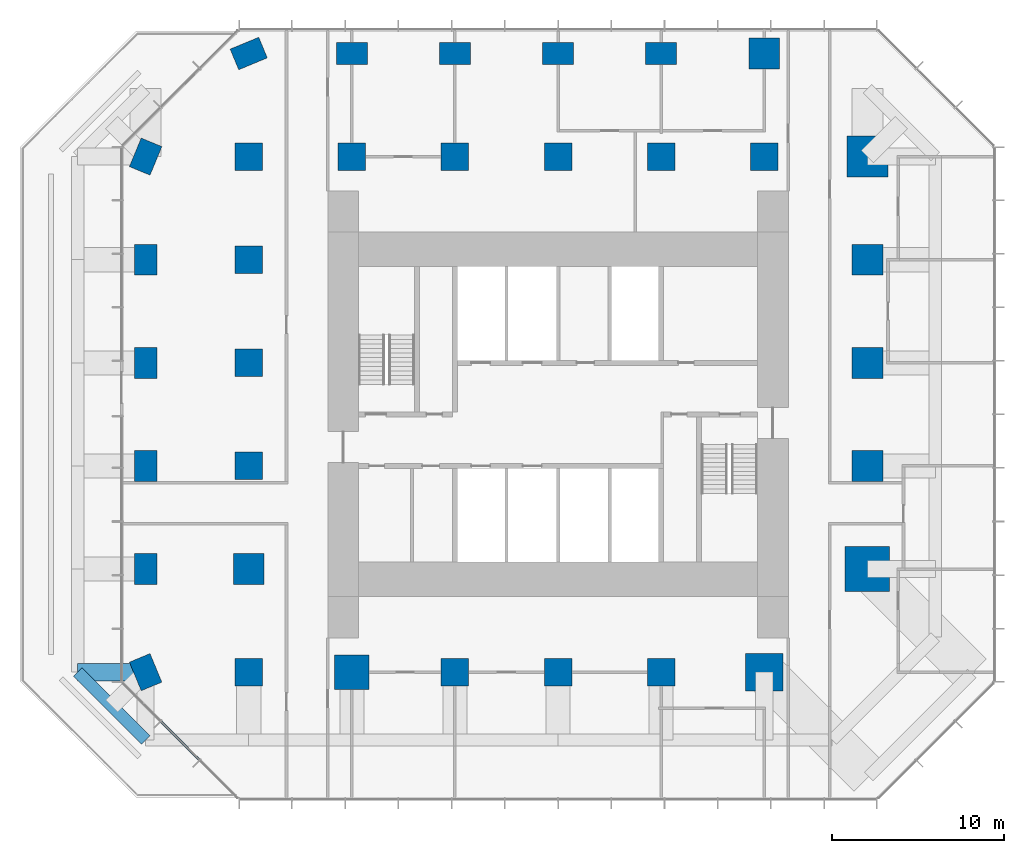
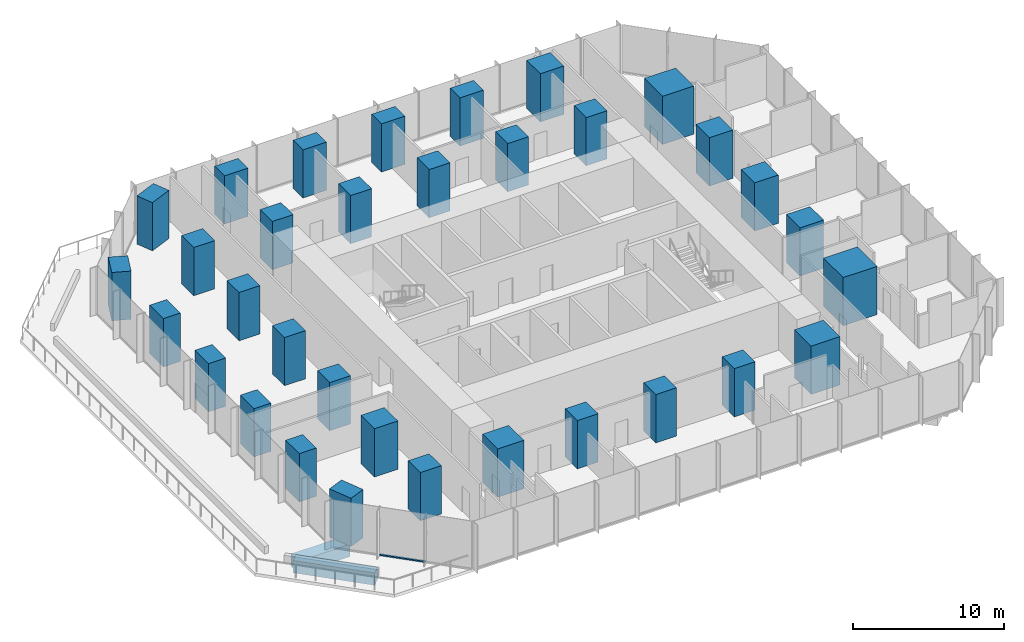
# One storey, part 1 of 11: 33 columns, 2 beams, 1 member, 1 element without a shape of its own.
"""IFC4 building model written with IfcOpenShell, lengths in metres."""

from ifc_helpers import new_model, si_unit, direction, frame, origin, origin_2d, place, context, subcontext, project, spatial, rectangle, extrude, material, layer, layer_set, material_profile, profile_set, type_object, element, aggregate, save


model = new_model("IFC4")

# Units and contexts
model_context = context("Model", 3, precision=1e-05, world=origin(), true_north=direction((0.0, 1.0)))
body_context = subcontext(model_context, "Body", "Model", "MODEL_VIEW")
ifc_project = project(units=[si_unit("LENGTHUNIT", "METRE"), si_unit("AREAUNIT", "SQUARE_METRE"), si_unit("VOLUMEUNIT", "CUBIC_METRE"), si_unit("PLANEANGLEUNIT", "RADIAN"), si_unit("MASSUNIT", "GRAM", prefix="KILO")], contexts=[model_context])

# Site, building, storey
site_placement = place(None, origin())
site = spatial("IfcSite", under=ifc_project, at=site_placement, CompositionType="ELEMENT")
building_placement = place(site_placement, origin())
building = spatial("IfcBuilding", under=site, at=building_placement, Name="Highveld Stack Headquarters", CompositionType="ELEMENT")
storey_placement = place(building_placement, frame((0.0, 0.0, 140.60009765625)))
storey = spatial("IfcBuildingStorey", under=building, at=storey_placement, Name="L34", CompositionType="ELEMENT", Elevation=140.60009765625)

# Columns
ifc_material_1 = material(Name="Concrete C60/75", Category="concrete")
ifc_material_profile_1 = material_profile(ifc_material_1, rectangle(XDim=1.60009765625, YDim=1.60009765625, at=origin_2d()), Name="RC 1600x1600")
ifc_profile_set_1 = profile_set([ifc_material_profile_1], Name="Concrete C60/75")
column_type_1 = type_object("IfcColumnType", Name="COLUMN RC 1600x1600 C60/75", PredefinedType="COLUMN", material=ifc_profile_set_1)
for number, where, z_axis, x_axis, name in (
    (1, (-12.0, -12.0, 0.0), (0.0, 0.0, 1.0), (1.0, 0.0, 0.0), "Column 4/C L34"),
    (2, (-12.0, 0.0, 0.0), (0.0, 0.0, 1.0), (1.0, 0.0, 0.0), "Column 4/E L34"),
    (3, (-12.0, 6.0, 0.0), (0.0, 0.0, 1.0), (1.0, 0.0, 0.0), "Column 4/F L34"),
    (4, (-12.0, 12.0, 0.0), (0.0, 0.0, 1.0), (1.0, 0.0, 0.0), "Column 4/G L34"),
    (5, (-12.0, 18.0, 0.0), (0.0, 0.0, 1.0), (1.0, 0.0, 0.0), "Column 4/H L34"),
    (6, (-6.0, 18.0, 0.0), (0.0, 0.0, 1.0), (1.0, 0.0, 0.0), "Column 5/H L34"),
    (7, (0.0, -12.0, 0.0), (0.0, 0.0, 1.0), (1.0, 0.0, 0.0), "Column 6/C L34"),
    (8, (0.0, 18.0, 0.0), (0.0, 0.0, 1.0), (1.0, 0.0, 0.0), "Column 6/H L34"),
    (9, (6.0, -12.0, 0.0), (0.0, 0.0, 1.0), (1.0, 0.0, 0.0), "Column 7/C L34"),
    (10, (6.0, 18.0, 0.0), (0.0, 0.0, 1.0), (1.0, 0.0, 0.0), "Column 7/H L34"),
    (11, (12.0, -12.0, 0.0), (0.0, 0.0, 1.0), (1.0, 0.0, 0.0), "Column 8/C L34"),
    (12, (12.0, 18.0, 0.0), (0.0, 0.0, 1.0), (1.0, 0.0, 0.0), "Column 8/H L34"),
    (13, (18.0, 18.0, 0.0), (0.0, 0.0, 1.0), (1.0, 0.0, 0.0), "Column 9/H L34"),
):
    element("IfcColumn", number, at=place(storey_placement, frame(where, z_axis=z_axis, x_axis=x_axis)), inside=storey, type_object=column_type_1, Name=name, PredefinedType="COLUMN", context=body_context, shape_type="SweptSolid", body=[
        extrude(rectangle(XDim=1.60009765625, YDim=1.60009765625, at=origin_2d()), origin(), (0.0, 0.0, 1.0), 3.89990234375),
    ])
ifc_material_2 = material(Name="Concrete C60/75", Category="concrete")
ifc_material_profile_2 = material_profile(ifc_material_2, rectangle(XDim=1.800048828125, YDim=1.300048828125, at=origin_2d()), Name="RC 1800x1300")
ifc_profile_set_2 = profile_set([ifc_material_profile_2], Name="Concrete C60/75")
column_type_2 = type_object("IfcColumnType", Name="COLUMN RC 1800x1300 C60/75", PredefinedType="COLUMN", material=ifc_profile_set_2)
for number, where, z_axis, x_axis, name in (
    (14, (-18.0, -12.0, 0.0), (0.0, 0.0, 1.0), (-0.382683432365, 0.923879532511, 0.0), "Column 3/C L34"),
    (15, (-18.0, -6.0, 0.0), (0.0, 0.0, 1.0), (0.0, 1.0, 0.0), "Column 3/D L34"),
    (16, (-18.0, 0.0, 0.0), (0.0, 0.0, 1.0), (0.0, 1.0, 0.0), "Column 3/E L34"),
    (17, (-18.0, 6.0, 0.0), (0.0, 0.0, 1.0), (0.0, 1.0, 0.0), "Column 3/F L34"),
    (18, (-18.0, 12.0, 0.0), (0.0, 0.0, 1.0), (0.0, 1.0, 0.0), "Column 3/G L34"),
    (19, (-18.0, 18.0, 0.0), (0.0, 0.0, 1.0), (0.382683432365, 0.923879532511, 0.0), "Column 3/H L34"),
    (20, (-12.0, 24.0, 0.0), (0.0, 0.0, 1.0), (0.923879532511, 0.382683432365, 0.0), "Column 4/J L34"),
    (21, (-6.0, 24.0, 0.0), (0.0, 0.0, 1.0), (1.0, 0.0, 0.0), "Column 5/J L34"),
    (22, (0.0, 24.0, 0.0), (0.0, 0.0, 1.0), (1.0, 0.0, 0.0), "Column 6/J L34"),
    (23, (6.0, 24.0, 0.0), (0.0, 0.0, 1.0), (1.0, 0.0, 0.0), "Column 7/J L34"),
    (24, (12.0, 24.0, 0.0), (0.0, 0.0, 1.0), (1.0, 0.0, 0.0), "Column 8/J L34"),
):
    element("IfcColumn", number, at=place(storey_placement, frame(where, z_axis=z_axis, x_axis=x_axis)), inside=storey, type_object=column_type_2, Name=name, PredefinedType="COLUMN", context=body_context, shape_type="SweptSolid", body=[
        extrude(rectangle(XDim=1.800048828125, YDim=1.300048828125, at=origin_2d()), origin(), (0.0, 0.0, 1.0), 3.89990234375),
    ])
ifc_material_3 = material(Name="Concrete C60/75", Category="concrete")
ifc_material_profile_3 = material_profile(ifc_material_3, rectangle(XDim=1.800048828125, YDim=1.800048828125, at=origin_2d()), Name="RC 1800x1800")
ifc_profile_set_3 = profile_set([ifc_material_profile_3], Name="Concrete C60/75")
column_type_3 = type_object("IfcColumnType", Name="COLUMN RC 1800x1800 C60/75", PredefinedType="COLUMN", material=ifc_profile_set_3)
for number, where, z_axis, x_axis, name in (
    (25, (-12.0, -6.0, 0.0), (0.0, 0.0, 1.0), (1.0, 0.0, 0.0), "Column 4/D L34"),
    (26, (18.0, 24.0, 0.0), (0.0, 0.0, 1.0), (1.0, 0.0, 0.0), "Column 9/J L34"),
    (27, (24.0, 0.0, 0.0), (0.0, 0.0, 1.0), (1.0, 0.0, 0.0), "Column 10/E L34"),
    (28, (24.0, 6.0, 0.0), (0.0, 0.0, 1.0), (1.0, 0.0, 0.0), "Column 10/F L34"),
    (29, (24.0, 12.0, 0.0), (0.0, 0.0, 1.0), (1.0, 0.0, 0.0), "Column 10/G L34"),
):
    element("IfcColumn", number, at=place(storey_placement, frame(where, z_axis=z_axis, x_axis=x_axis)), inside=storey, type_object=column_type_3, Name=name, PredefinedType="COLUMN", context=body_context, shape_type="SweptSolid", body=[
        extrude(rectangle(XDim=1.800048828125, YDim=1.800048828125, at=origin_2d()), origin(), (0.0, 0.0, 1.0), 3.89990234375),
    ])
ifc_material_4 = material(Name="Concrete C60/75", Category="concrete")
ifc_material_profile_4 = material_profile(ifc_material_4, rectangle(XDim=2.0, YDim=2.0, at=origin_2d()), Name="RC 2000x2000")
ifc_profile_set_4 = profile_set([ifc_material_profile_4], Name="Concrete C60/75")
column_type_4 = type_object("IfcColumnType", Name="COLUMN RC 2000x2000 C60/75", PredefinedType="COLUMN", material=ifc_profile_set_4)
column_1_placement = place(storey_placement, frame((-6.0, -12.0, 0.0), z_axis=(0.0, 0.0, 1.0), x_axis=(1.0, 0.0, 0.0)))
element("IfcColumn", 30, at=column_1_placement, inside=storey, type_object=column_type_4, Name="Column 5/C L34", PredefinedType="COLUMN", context=body_context, shape_type="SweptSolid", body=[
    extrude(rectangle(XDim=2.0, YDim=2.0, at=origin_2d()), origin(), (0.0, 0.0, 1.0), 3.89990234375),
])
ifc_material_5 = material(Name="Concrete C60/75", Category="concrete")
ifc_material_profile_5 = material_profile(ifc_material_5, rectangle(XDim=2.199951171875, YDim=2.199951171875, at=origin_2d()), Name="RC 2200x2200")
ifc_profile_set_5 = profile_set([ifc_material_profile_5], Name="Concrete C60/75")
column_type_5 = type_object("IfcColumnType", Name="COLUMN RC 2200x2200 C60/75", PredefinedType="COLUMN", material=ifc_profile_set_5)
column_2_placement = place(storey_placement, frame((18.0, -12.0, 0.0), z_axis=(0.0, 0.0, 1.0), x_axis=(1.0, 0.0, 0.0)))
element("IfcColumn", 31, at=column_2_placement, inside=storey, type_object=column_type_5, Name="Column 9/C L34", PredefinedType="COLUMN", context=body_context, shape_type="SweptSolid", body=[
    extrude(rectangle(XDim=2.199951171875, YDim=2.199951171875, at=origin_2d()), origin(), (0.0, 0.0, 1.0), 3.89990234375),
])
ifc_material_6 = material(Name="Concrete C60/75", Category="concrete")
ifc_material_profile_6 = material_profile(ifc_material_6, rectangle(XDim=2.39990234375, YDim=2.39990234375, at=origin_2d()), Name="RC 2400x2400")
ifc_profile_set_6 = profile_set([ifc_material_profile_6], Name="Concrete C60/75")
column_type_6 = type_object("IfcColumnType", Name="COLUMN RC 2400x2400 C60/75", PredefinedType="COLUMN", material=ifc_profile_set_6)
column_3_placement = place(storey_placement, frame((24.0, 18.0, 0.0), z_axis=(0.0, 0.0, 1.0), x_axis=(1.0, 0.0, 0.0)))
element("IfcColumn", 32, at=column_3_placement, inside=storey, type_object=column_type_6, Name="Column 10/H L34", PredefinedType="COLUMN", context=body_context, shape_type="SweptSolid", body=[
    extrude(rectangle(XDim=2.39990234375, YDim=2.39990234375, at=origin_2d()), origin(), (0.0, 0.0, 1.0), 3.89990234375),
])
ifc_material_7 = material(Name="Concrete C60/75", Category="concrete")
ifc_material_profile_7 = material_profile(ifc_material_7, rectangle(XDim=2.60009765625, YDim=2.60009765625, at=origin_2d()), Name="RC 2600x2600")
ifc_profile_set_7 = profile_set([ifc_material_profile_7], Name="Concrete C60/75")
column_type_7 = type_object("IfcColumnType", Name="COLUMN RC 2600x2600 C60/75", PredefinedType="COLUMN", material=ifc_profile_set_7)
column_4_placement = place(storey_placement, frame((24.0, -6.0, 0.0), z_axis=(0.0, 0.0, 1.0), x_axis=(1.0, 0.0, 0.0)))
element("IfcColumn", 33, at=column_4_placement, inside=storey, type_object=column_type_7, Name="Column 10/D L34", PredefinedType="COLUMN", context=body_context, shape_type="SweptSolid", body=[
    extrude(rectangle(XDim=2.60009765625, YDim=2.60009765625, at=origin_2d()), origin(), (0.0, 0.0, 1.0), 3.89990234375),
])

# Beam
ifc_material_8 = material(Name="Concrete C60/75", Category="concrete")
ifc_material_profile_8 = material_profile(ifc_material_8, rectangle(XDim=1.0, YDim=1.0, at=origin_2d()), Name="RC 1000x1000")
ifc_profile_set_8 = profile_set([ifc_material_profile_8], Name="Concrete C60/75")
beam_type_1 = type_object("IfcBeamType", Name="CANTILEVER RIB RC 1000x1000", PredefinedType="USERDEFINED", material=ifc_profile_set_8)
beam_1_placement = place(storey_placement, frame((-18.0, -12.0, -0.75), z_axis=(-1.0, 0.0, 0.0), x_axis=(0.0, -1.0, 0.0)))
element("IfcBeam", 34, at=beam_1_placement, inside=storey, type_object=beam_type_1, Name="Cantilever rib 3/C L34", ObjectType="CANTILEVER RIB", PredefinedType="USERDEFINED", context=body_context, shape_type="SweptSolid", body=[
    extrude(rectangle(XDim=1.0, YDim=1.0, at=origin_2d()), origin(), (0.0, 0.0, 1.0), 3.949951171875),
])

# Curtain wall, member
ifc_material_9 = material(Name="Aluminium bronze anodised", Category="aluminium")
ifc_layer = layer(ifc_material_9, 0.199951171875)
ifc_layer_set = layer_set([ifc_layer], Name="Aluminium bronze anodised")
curtain_wall_type = type_object("IfcCurtainWallType", Name="CW2 TOWER CHAMFER UNITISED CURTAIN WALL", PredefinedType="NOTDEFINED", material=ifc_layer_set)
curtain_wall_placement = place(storey_placement, origin())
curtain_wall = element("IfcCurtainWall", 35, at=curtain_wall_placement, inside=storey, type_object=curtain_wall_type, Name="Curtain wall CW2 L34 SW", PredefinedType="NOTDEFINED")
ifc_material_10 = material(Name="Aluminium bronze anodised", Category="aluminium")
ifc_material_profile_9 = material_profile(ifc_material_10, rectangle(XDim=0.14990234375, YDim=0.10009765625, at=origin_2d()), Name="CW2 TRANSOM 150x100")
ifc_profile_set_9 = profile_set([ifc_material_profile_9], Name="Aluminium bronze anodised")
member_type = type_object("IfcMemberType", Name="CW2 STACK TRANSOM 150x100", PredefinedType="USERDEFINED", material=ifc_profile_set_9)
member_placement = place(storey_placement, frame((-17.103759765625, -14.876220703125, 0.0498046875), z_axis=(0.707106781187, -0.707106781187, 0.0), x_axis=(0.707106781187, 0.707106781187, 0.0)))
member = element("IfcMember", 36, at=member_placement, type_object=member_type, Name="CW2 transom L34 2.1", ObjectType="TRANSOM", PredefinedType="USERDEFINED", context=body_context, shape_type="SweptSolid", body=[
    extrude(rectangle(XDim=0.14990234375, YDim=0.10009765625, at=origin_2d()), origin(), (0.0, 0.0, 1.0), 3.150146484375),
])
aggregate(curtain_wall, [member])

# Beam
ifc_material_11 = material(Name="Concrete C60/75", Category="concrete")
ifc_material_profile_10 = material_profile(ifc_material_11, rectangle(XDim=0.699951171875, YDim=1.0, at=origin_2d()), Name="RC 700x1000")
ifc_profile_set_10 = profile_set([ifc_material_profile_10], Name="Concrete C60/75")
beam_type_2 = type_object("IfcBeamType", Name="RIB TIP BEAM RC 700x1000", PredefinedType="SPANDREL", material=ifc_profile_set_10)
beam_2_placement = place(storey_placement, frame((-21.949951171875, -12.0, -0.75), z_axis=(0.707106781187, -0.707106781187, 0.0), x_axis=(0.707106781187, 0.707106781187, 0.0)))
element("IfcBeam", 37, at=beam_2_placement, inside=storey, type_object=beam_type_2, Name="Rib tip beam 3/C corner L34", PredefinedType="SPANDREL", context=body_context, shape_type="SweptSolid", body=[
    extrude(rectangle(XDim=0.699951171875, YDim=1.0, at=origin_2d()), origin(), (0.0, 0.0, 1.0), 5.586181640625),
])

save(model, "model.ifc")
